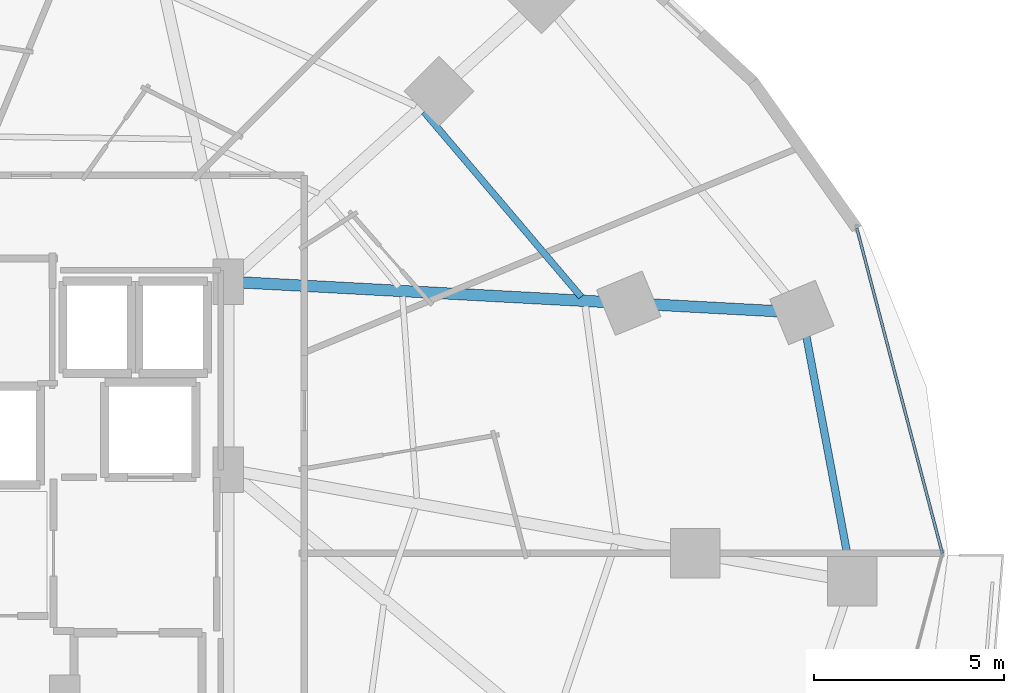
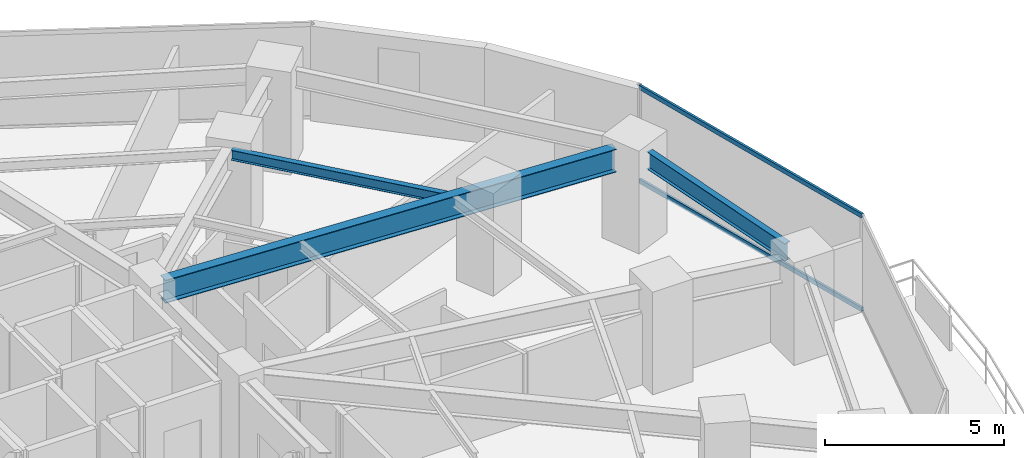
# One storey, part 17 of 36: 3 beams, 2 members, 1 element without a shape of its own.
"""IFC4 building model written with IfcOpenShell, lengths in metres."""

from ifc_helpers import new_model, si_unit, direction, frame, origin, origin_2d, place, context, subcontext, project, spatial, hollow_rectangle, i_section, extrude, material, material_profile, profile_set, type_object, element, aggregate, save


model = new_model("IFC4")

# Units and contexts
model_context = context("Model", 3, precision=1e-05, world=origin(), true_north=direction((0.0, 1.0)))
body_context = subcontext(model_context, "Body", "Model", "MODEL_VIEW")
ifc_project = project(units=[si_unit("LENGTHUNIT", "METRE"), si_unit("AREAUNIT", "SQUARE_METRE"), si_unit("VOLUMEUNIT", "CUBIC_METRE"), si_unit("PLANEANGLEUNIT", "RADIAN"), si_unit("MASSUNIT", "GRAM", prefix="KILO")], contexts=[model_context])

# Site, building, storey
site_placement = place(None, origin())
site = spatial("IfcSite", under=ifc_project, at=site_placement, CompositionType="ELEMENT")
building_placement = place(site_placement, origin())
building = spatial("IfcBuilding", under=site, at=building_placement, Name="Vorneva Point Tower", CompositionType="ELEMENT")
storey_placement = place(building_placement, frame((0.0, 0.0, 24.0)))
storey = spatial("IfcBuildingStorey", under=building, at=storey_placement, Name="L05", CompositionType="ELEMENT", Elevation=24.0)

# Beams
ifc_material_1 = material(Name="Steel S355", Category="steel")
ifc_material_profile_1 = material_profile(ifc_material_1, i_section(OverallWidth=0.300048828125, OverallDepth=0.7880859375, WebThickness=0.014404296875, FlangeThickness=0.02197265625, at=origin_2d()), Name="80Sh1")
ifc_profile_set_1 = profile_set([ifc_material_profile_1], Name="Steel S355")
beam_type_1 = type_object("IfcBeamType", Name="BM-GRD-80Sh1", PredefinedType="USERDEFINED", material=ifc_profile_set_1)
beam_1_placement = place(storey_placement, frame((63.21728515625, 32.37109375, 2.845947265625), z_axis=(-0.998554288689, 0.053752511954, 0.0), x_axis=(-0.053752511954, -0.998554288689, 0.0)))
element("IfcBeam", 1, at=beam_1_placement, inside=storey, type_object=beam_type_1, Name="L05 Radial Primary Girder 02", ObjectType="GIRDER", PredefinedType="USERDEFINED", context=body_context, shape_type="SweptSolid", body=[
    extrude(i_section(OverallWidth=0.300048828125, OverallDepth=0.7880859375, WebThickness=0.014404296875, FlangeThickness=0.02197265625, at=origin_2d()), origin(), (0.0, 0.0, 1.0), 14.148193359375),
])
ifc_material_profile_2 = material_profile(ifc_material_1, i_section(OverallWidth=0.174072265625, OverallDepth=0.345947265625, WebThickness=0.006103515625, FlangeThickness=0.009033203125, at=origin_2d()), Name="35B1")
ifc_profile_set_2 = profile_set([ifc_material_profile_2], Name="Steel S355")
beam_type_2 = type_object("IfcBeamType", Name="BM-SEC-35B1", PredefinedType="BEAM", material=ifc_profile_set_2)
beam_2_placement = place(storey_placement, frame((58.0419921875, 32.75, 3.06689453125), z_axis=(-0.647289042698, 0.76224464262, 0.0), x_axis=(-0.76224464262, -0.647289042698, 0.0)))
element("IfcBeam", 2, at=beam_2_placement, inside=storey, type_object=beam_type_2, Name="L05 Secondary Floor Beam 1.02", PredefinedType="BEAM", context=body_context, shape_type="SweptSolid", body=[
    extrude(i_section(OverallWidth=0.174072265625, OverallDepth=0.345947265625, WebThickness=0.006103515625, FlangeThickness=0.009033203125, at=origin_2d()), origin(), (0.0, 0.0, 1.0), 6.390380859375),
])
ifc_material_profile_3 = material_profile(ifc_material_1, i_section(OverallWidth=0.198974609375, OverallDepth=0.595947265625, WebThickness=0.010009765625, FlangeThickness=0.014892578125, at=origin_2d()), Name="60B1")
ifc_profile_set_3 = profile_set([ifc_material_profile_3], Name="Steel S355")
beam_type_3 = type_object("IfcBeamType", Name="BM-SPN-60B1", PredefinedType="SPANDREL", material=ifc_profile_set_3)
beam_3_placement = place(storey_placement, frame((65.06494140625, 25.885009765625, 2.94189453125), z_axis=(-0.184383004327, 0.982854469245, 0.0), x_axis=(-0.982854469245, -0.184383004327, 0.0)))
element("IfcBeam", 3, at=beam_3_placement, inside=storey, type_object=beam_type_3, Name="L05 Perimeter Spandrel Ring Beam 01", PredefinedType="SPANDREL", context=body_context, shape_type="SweptSolid", body=[
    extrude(i_section(OverallWidth=0.198974609375, OverallDepth=0.595947265625, WebThickness=0.010009765625, FlangeThickness=0.014892578125, at=origin_2d()), origin(), (0.0, 0.0, 1.0), 5.92919921875),
])

# Curtain wall, members
ifc_material_2 = material(Name="Pale anodised aluminium", Category="aluminium")
curtain_wall_type = type_object("IfcCurtainWallType", Name="CW-HTL-SYS", PredefinedType="NOTDEFINED", material=ifc_material_2)
curtain_wall_placement = place(storey_placement, origin())
curtain_wall = element("IfcCurtainWall", 4, at=curtain_wall_placement, inside=storey, type_object=curtain_wall_type, Name="L05 Unitised Curtain Wall CW-L05-R01", PredefinedType="NOTDEFINED")
ifc_material_profile_4 = material_profile(ifc_material_2, hollow_rectangle(XDim=0.074951171875, YDim=0.14990234375, WallThickness=0.00390625, at=origin_2d()), Name="AL-TRN 150x75x4")
ifc_profile_set_4 = profile_set([ifc_material_profile_4], Name="Pale anodised aluminium")
member_type = type_object("IfcMemberType", Name="CW-TRN-150", PredefinedType="USERDEFINED", material=ifc_profile_set_4)
member_1_placement = place(storey_placement, frame((67.550048828125, 26.0, 0.02001953125), z_axis=(-0.254358772746, 0.967109928978, 0.0), x_axis=(-0.967109928978, -0.254358772746, 0.0)))
member_1 = element("IfcMember", 5, at=member_1_placement, type_object=member_type, Name="CW-L05-R01 Transom 03.1", ObjectType="TRANSOM", PredefinedType="USERDEFINED", context=body_context, shape_type="SweptSolid", body=[
    extrude(hollow_rectangle(XDim=0.074951171875, YDim=0.14990234375, WallThickness=0.00390625, at=origin_2d()), origin(), (0.0, 0.0, 1.0), 8.84375),
])
member_2_placement = place(storey_placement, frame((67.550048828125, 26.0, 3.219970703125), z_axis=(-0.254358772746, 0.967109928978, 0.0), x_axis=(-0.967109928978, -0.254358772746, 0.0)))
member_2 = element("IfcMember", 6, at=member_2_placement, type_object=member_type, Name="CW-L05-R01 Transom 03.2", ObjectType="TRANSOM", PredefinedType="USERDEFINED", context=body_context, shape_type="SweptSolid", body=[
    extrude(hollow_rectangle(XDim=0.074951171875, YDim=0.14990234375, WallThickness=0.00390625, at=origin_2d()), origin(), (0.0, 0.0, 1.0), 8.84375),
])
aggregate(curtain_wall, [member_1, member_2])

save(model, "model.ifc")
